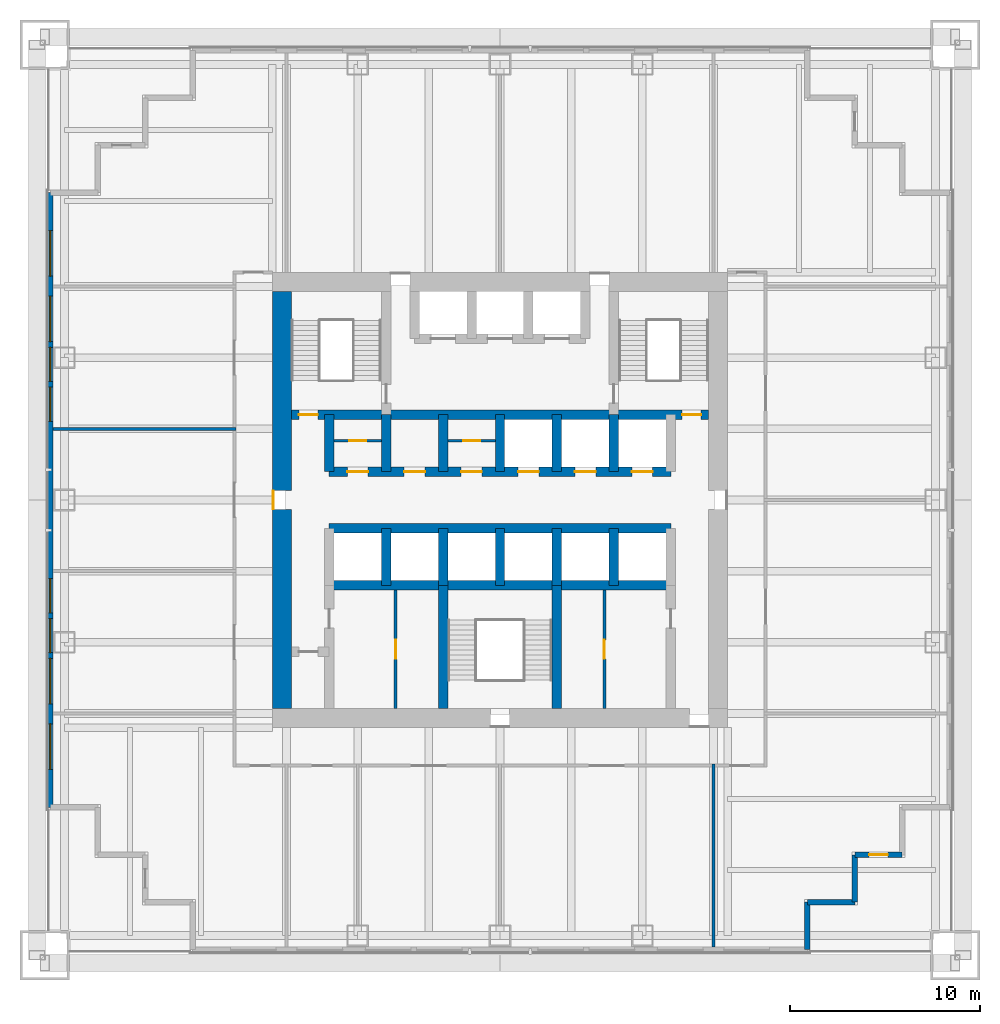
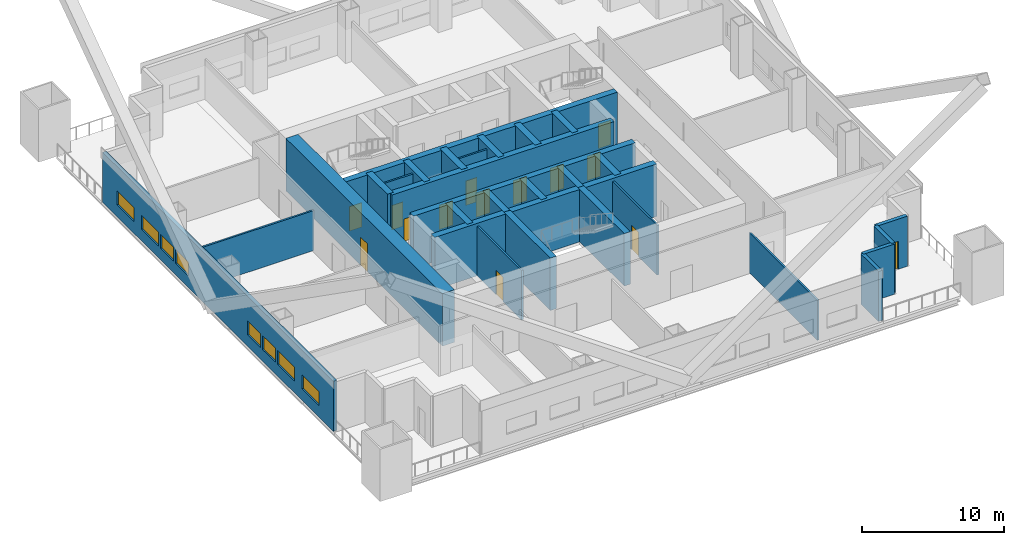
# One storey, part 3 of 7: 29 walls, 14 doors, 8 windows, 22 openings.
"""IFC4 building model written with IfcOpenShell, lengths in metres."""

from ifc_helpers import new_model, si_unit, direction, frame, frame_2d, origin, place, context, subcontext, project, spatial, rectangle, extrude, material, layer, layer_set, type_object, element, fill, save


model = new_model("IFC4")

# Units and contexts
model_context = context("Model", 3, precision=1e-05, world=origin(), true_north=direction((0.0, 1.0)))
body_context = subcontext(model_context, "Body", "Model", "MODEL_VIEW")
ifc_project = project(units=[si_unit("LENGTHUNIT", "METRE"), si_unit("AREAUNIT", "SQUARE_METRE"), si_unit("VOLUMEUNIT", "CUBIC_METRE"), si_unit("PLANEANGLEUNIT", "RADIAN"), si_unit("MASSUNIT", "GRAM", prefix="KILO")], contexts=[model_context])

# Site, building, storey
site_placement = place(None, origin())
site = spatial("IfcSite", under=ifc_project, at=site_placement, CompositionType="ELEMENT")
building_placement = place(site_placement, origin())
building = spatial("IfcBuilding", under=site, at=building_placement, Name="Tarangal Relay Tower", CompositionType="ELEMENT")
storey_placement = place(building_placement, frame((0.0, 0.0, 153.89990234375)))
storey = spatial("IfcBuildingStorey", under=building, at=storey_placement, Name="L31", CompositionType="ELEMENT", Elevation=153.89990234375)

# Wall, openings, doors
ifc_material_1 = material(Name="Concrete fc' 60 MPa", Category="concrete")
ifc_layer_1 = layer(ifc_material_1, 0.5)
ifc_layer_set_1 = layer_set([ifc_layer_1], Name="Core inner wall 500")
wall_type_1 = type_object("IfcWallType", Name="Core inner wall 500", PredefinedType="SHEAR", material=ifc_layer_set_1)
wall_1_placement = place(storey_placement, frame((-11.0, 4.5, 0.0), z_axis=(0.0, 0.0, 1.0), x_axis=(1.0, 0.0, 0.0)))
wall_1 = element("IfcWall", 1, at=wall_1_placement, inside=storey, type_object=wall_type_1, Name="Core wall Y45 L31", PredefinedType="SHEAR", context=body_context, shape_type="SweptSolid", body=[
    extrude(rectangle(XDim=22.0, YDim=0.5, at=frame_2d((11.0, 0.0))), origin(), (0.0, 0.0, 1.0), 4.5),
])
opening_1_placement = place(wall_1_placement, frame((0.39990234375, 0.0, 0.0)))
opening_1 = element("IfcOpeningElement", 2, at=opening_1_placement, cuts=wall_1, Name="Opening FD1", PredefinedType="OPENING", context=body_context, shape_type="SweptSolid", body=[
    extrude(rectangle(XDim=1.0, YDim=2.10009765625, at=frame_2d((0.5, 1.050048828125))), frame((0.0, 0.260009765625, 0.0), z_axis=(0.0, -1.0, 0.0), x_axis=(1.0, 0.0, 0.0)), (0.0, 0.0, 1.0), 0.52001953125),
])
opening_2_placement = place(wall_1_placement, frame((20.60009765625, 0.0, 0.0)))
opening_2 = element("IfcOpeningElement", 3, at=opening_2_placement, cuts=wall_1, Name="Opening FD1", PredefinedType="OPENING", context=body_context, shape_type="SweptSolid", body=[
    extrude(rectangle(XDim=1.0, YDim=2.10009765625, at=frame_2d((0.5, 1.050048828125))), frame((0.0, 0.260009765625, 0.0), z_axis=(0.0, -1.0, 0.0), x_axis=(1.0, 0.0, 0.0)), (0.0, 0.0, 1.0), 0.52001953125),
])
ifc_material_2 = material(Name="Steel door with hardwood frame", Category="steel")
door_type_1 = type_object("IfcDoorType", Name="Fire door 1000 x 2100", OperationType="SINGLE_SWING_LEFT", PredefinedType="DOOR", material=ifc_material_2)
door_1_placement = place(opening_1_placement, origin())
door_1 = element("IfcDoor", 4, at=door_1_placement, inside=storey, type_object=door_type_1, Name="Stair ST-A door from corridor L31", OperationType="SINGLE_SWING_LEFT", OverallHeight=2.10009765625, OverallWidth=1.0, PredefinedType="DOOR", context=body_context, shape_type="SweptSolid", body=[
    extrude(rectangle(XDim=1.0, YDim=2.10009765625, at=frame_2d((0.5, 1.050048828125))), frame((0.0, 0.02490234375, 0.0), z_axis=(0.0, -1.0, 0.0), x_axis=(1.0, 0.0, 0.0)), (0.0, 0.0, 1.0), 0.050048828125),
])
fill(opening_1, door_1)
door_2_placement = place(opening_2_placement, origin())
door_2 = element("IfcDoor", 5, at=door_2_placement, inside=storey, type_object=door_type_1, Name="Stair ST-B door from corridor L31", OperationType="SINGLE_SWING_LEFT", OverallHeight=2.10009765625, OverallWidth=1.0, PredefinedType="DOOR", context=body_context, shape_type="SweptSolid", body=[
    extrude(rectangle(XDim=1.0, YDim=2.10009765625, at=frame_2d((0.5, 1.050048828125))), frame((0.0, 0.02490234375, 0.0), z_axis=(0.0, -1.0, 0.0), x_axis=(1.0, 0.0, 0.0)), (0.0, 0.0, 1.0), 0.050048828125),
])
fill(opening_2, door_2)

wall_2_placement = place(storey_placement, frame((-9.0, 1.5, 0.0), z_axis=(0.0, 0.0, 1.0), x_axis=(1.0, 0.0, 0.0)))
wall_2 = element("IfcWall", 6, at=wall_2_placement, inside=storey, type_object=wall_type_1, Name="Core wall Y15 L31", PredefinedType="SHEAR", context=body_context, shape_type="SweptSolid", body=[
    extrude(rectangle(XDim=18.0, YDim=0.5, at=frame_2d((9.0, 0.0))), origin(), (0.0, 0.0, 1.0), 4.5),
])
opening_3_placement = place(wall_2_placement, frame((9.949951171875, 0.0, 0.0)))
opening_3 = element("IfcOpeningElement", 7, at=opening_3_placement, cuts=wall_2, Name="Opening LD1", PredefinedType="OPENING", context=body_context, shape_type="SweptSolid", body=[
    extrude(rectangle(XDim=1.10009765625, YDim=2.10009765625, at=frame_2d((0.550048828125, 1.050048828125))), frame((0.0, 0.260009765625, 0.0), z_axis=(0.0, -1.0, 0.0), x_axis=(1.0, 0.0, 0.0)), (0.0, 0.0, 1.0), 0.52001953125),
])
opening_4_placement = place(wall_2_placement, frame((12.949951171875, 0.0, 0.0)))
opening_4 = element("IfcOpeningElement", 8, at=opening_4_placement, cuts=wall_2, Name="Opening LD1", PredefinedType="OPENING", context=body_context, shape_type="SweptSolid", body=[
    extrude(rectangle(XDim=1.10009765625, YDim=2.10009765625, at=frame_2d((0.550048828125, 1.050048828125))), frame((0.0, 0.260009765625, 0.0), z_axis=(0.0, -1.0, 0.0), x_axis=(1.0, 0.0, 0.0)), (0.0, 0.0, 1.0), 0.52001953125),
])
opening_5_placement = place(wall_2_placement, frame((15.949951171875, 0.0, 0.0)))
opening_5 = element("IfcOpeningElement", 9, at=opening_5_placement, cuts=wall_2, Name="Opening LD1", PredefinedType="OPENING", context=body_context, shape_type="SweptSolid", body=[
    extrude(rectangle(XDim=1.10009765625, YDim=2.10009765625, at=frame_2d((0.550048828125, 1.050048828125))), frame((0.0, 0.260009765625, 0.0), z_axis=(0.0, -1.0, 0.0), x_axis=(1.0, 0.0, 0.0)), (0.0, 0.0, 1.0), 0.52001953125),
])
opening_6_placement = place(wall_2_placement, frame((0.949951171875, 0.0, 0.0)))
opening_6 = element("IfcOpeningElement", 10, at=opening_6_placement, cuts=wall_2, Name="Opening D4", PredefinedType="OPENING", context=body_context, shape_type="SweptSolid", body=[
    extrude(rectangle(XDim=1.10009765625, YDim=2.10009765625, at=frame_2d((0.550048828125, 1.050048828125))), frame((0.0, 0.260009765625, 0.0), z_axis=(0.0, -1.0, 0.0), x_axis=(1.0, 0.0, 0.0)), (0.0, 0.0, 1.0), 0.52001953125),
])
opening_7_placement = place(wall_2_placement, frame((3.949951171875, 0.0, 0.0)))
opening_7 = element("IfcOpeningElement", 11, at=opening_7_placement, cuts=wall_2, Name="Opening D4", PredefinedType="OPENING", context=body_context, shape_type="SweptSolid", body=[
    extrude(rectangle(XDim=1.10009765625, YDim=2.10009765625, at=frame_2d((0.550048828125, 1.050048828125))), frame((0.0, 0.260009765625, 0.0), z_axis=(0.0, -1.0, 0.0), x_axis=(1.0, 0.0, 0.0)), (0.0, 0.0, 1.0), 0.52001953125),
])
opening_8_placement = place(wall_2_placement, frame((6.949951171875, 0.0, 0.0)))
opening_8 = element("IfcOpeningElement", 12, at=opening_8_placement, cuts=wall_2, Name="Opening D4", PredefinedType="OPENING", context=body_context, shape_type="SweptSolid", body=[
    extrude(rectangle(XDim=1.10009765625, YDim=2.10009765625, at=frame_2d((0.550048828125, 1.050048828125))), frame((0.0, 0.260009765625, 0.0), z_axis=(0.0, -1.0, 0.0), x_axis=(1.0, 0.0, 0.0)), (0.0, 0.0, 1.0), 0.52001953125),
])
door_type_2 = type_object("IfcDoorType", Name="Core room door 1100 x 2100", OperationType="SINGLE_SWING_RIGHT", PredefinedType="DOOR", material=ifc_material_2)
door_3_placement = place(opening_6_placement, origin())
door_3 = element("IfcDoor", 13, at=door_3_placement, inside=storey, type_object=door_type_2, Name="Door D4 to it room L31-D1", OperationType="SINGLE_SWING_RIGHT", OverallHeight=2.10009765625, OverallWidth=1.10009765625, PredefinedType="DOOR", context=body_context, shape_type="SweptSolid", body=[
    extrude(rectangle(XDim=1.10009765625, YDim=2.10009765625, at=frame_2d((0.550048828125, 1.050048828125))), frame((0.0, 0.02490234375, 0.0), z_axis=(0.0, -1.0, 0.0), x_axis=(1.0, 0.0, 0.0)), (0.0, 0.0, 1.0), 0.050048828125),
])
fill(opening_6, door_3)
door_4_placement = place(opening_7_placement, origin())
door_4 = element("IfcDoor", 14, at=door_4_placement, inside=storey, type_object=door_type_2, Name="Door D4 to back-of-house plant room L31-D2", OperationType="SINGLE_SWING_RIGHT", OverallHeight=2.10009765625, OverallWidth=1.10009765625, PredefinedType="DOOR", context=body_context, shape_type="SweptSolid", body=[
    extrude(rectangle(XDim=1.10009765625, YDim=2.10009765625, at=frame_2d((0.550048828125, 1.050048828125))), frame((0.0, 0.02490234375, 0.0), z_axis=(0.0, -1.0, 0.0), x_axis=(1.0, 0.0, 0.0)), (0.0, 0.0, 1.0), 0.050048828125),
])
fill(opening_7, door_4)
door_5_placement = place(opening_8_placement, origin())
door_5 = element("IfcDoor", 15, at=door_5_placement, inside=storey, type_object=door_type_2, Name="Door D4 to staff pantry L31-D3", OperationType="SINGLE_SWING_RIGHT", OverallHeight=2.10009765625, OverallWidth=1.10009765625, PredefinedType="DOOR", context=body_context, shape_type="SweptSolid", body=[
    extrude(rectangle(XDim=1.10009765625, YDim=2.10009765625, at=frame_2d((0.550048828125, 1.050048828125))), frame((0.0, 0.02490234375, 0.0), z_axis=(0.0, -1.0, 0.0), x_axis=(1.0, 0.0, 0.0)), (0.0, 0.0, 1.0), 0.050048828125),
])
fill(opening_8, door_5)
door_type_3 = type_object("IfcDoorType", Name="Lift landing door 1100 x 2100", OperationType="SLIDING_TO_LEFT", PredefinedType="DOOR", material=ifc_material_2)
door_6_placement = place(opening_3_placement, origin())
door_6 = element("IfcDoor", 16, at=door_6_placement, inside=storey, type_object=door_type_3, Name="Lift T1 landing door L31", OperationType="SLIDING_TO_LEFT", OverallHeight=2.10009765625, OverallWidth=1.10009765625, PredefinedType="DOOR", context=body_context, shape_type="SweptSolid", body=[
    extrude(rectangle(XDim=1.10009765625, YDim=2.10009765625, at=frame_2d((0.550048828125, 1.050048828125))), frame((0.0, 0.02490234375, 0.0), z_axis=(0.0, -1.0, 0.0), x_axis=(1.0, 0.0, 0.0)), (0.0, 0.0, 1.0), 0.050048828125),
])
fill(opening_3, door_6)
door_7_placement = place(opening_4_placement, origin())
door_7 = element("IfcDoor", 17, at=door_7_placement, inside=storey, type_object=door_type_3, Name="Lift T2 landing door L31", OperationType="SLIDING_TO_LEFT", OverallHeight=2.10009765625, OverallWidth=1.10009765625, PredefinedType="DOOR", context=body_context, shape_type="SweptSolid", body=[
    extrude(rectangle(XDim=1.10009765625, YDim=2.10009765625, at=frame_2d((0.550048828125, 1.050048828125))), frame((0.0, 0.02490234375, 0.0), z_axis=(0.0, -1.0, 0.0), x_axis=(1.0, 0.0, 0.0)), (0.0, 0.0, 1.0), 0.050048828125),
])
fill(opening_4, door_7)
door_8_placement = place(opening_5_placement, origin())
door_8 = element("IfcDoor", 18, at=door_8_placement, inside=storey, type_object=door_type_3, Name="Lift T3 landing door L31", OperationType="SLIDING_TO_LEFT", OverallHeight=2.10009765625, OverallWidth=1.10009765625, PredefinedType="DOOR", context=body_context, shape_type="SweptSolid", body=[
    extrude(rectangle(XDim=1.10009765625, YDim=2.10009765625, at=frame_2d((0.550048828125, 1.050048828125))), frame((0.0, 0.02490234375, 0.0), z_axis=(0.0, -1.0, 0.0), x_axis=(1.0, 0.0, 0.0)), (0.0, 0.0, 1.0), 0.050048828125),
])
fill(opening_5, door_8)

# Walls
for number, where, z_axis, x_axis, name in (
    (19, (-9.0, -1.5, 0.0), (0.0, 0.0, 1.0), (1.0, 0.0, 0.0), "Core wall YM15 L31"),
    (20, (-9.0, -4.5, 0.0), (0.0, 0.0, 1.0), (1.0, 0.0, 0.0), "Core wall YM45 L31"),
):
    element("IfcWall", number, at=place(storey_placement, frame(where, z_axis=z_axis, x_axis=x_axis)), inside=storey, type_object=wall_type_1, Name=name, PredefinedType="SHEAR", context=body_context, shape_type="SweptSolid", body=[
        extrude(rectangle(XDim=18.0, YDim=0.5, at=frame_2d((9.0, 0.0))), origin(), (0.0, 0.0, 1.0), 4.5),
    ])
for number, where, z_axis, x_axis, name in (
    (21, (-9.0, 1.5, 0.0), (0.0, 0.0, 1.0), (0.0, 1.0, 0.0), "Core wall XM9N L31"),
    (22, (-6.0, 1.5, 0.0), (0.0, 0.0, 1.0), (0.0, 1.0, 0.0), "Core wall XM6N L31"),
    (23, (-3.0, 1.5, 0.0), (0.0, 0.0, 1.0), (0.0, 1.0, 0.0), "Core wall XM3N L31"),
    (24, (0.0, 1.5, 0.0), (0.0, 0.0, 1.0), (0.0, 1.0, 0.0), "Core wall X0N L31"),
    (25, (3.0, 1.5, 0.0), (0.0, 0.0, 1.0), (0.0, 1.0, 0.0), "Core wall X3N L31"),
    (26, (6.0, 1.5, 0.0), (0.0, 0.0, 1.0), (0.0, 1.0, 0.0), "Core wall X6N L31"),
    (27, (-6.0, -4.5, 0.0), (0.0, 0.0, 1.0), (0.0, 1.0, 0.0), "Core wall XM6S L31"),
    (28, (-3.0, -4.5, 0.0), (0.0, 0.0, 1.0), (0.0, 1.0, 0.0), "Core wall XM3S L31"),
    (29, (0.0, -4.5, 0.0), (0.0, 0.0, 1.0), (0.0, 1.0, 0.0), "Core wall X0S L31"),
    (30, (3.0, -4.5, 0.0), (0.0, 0.0, 1.0), (0.0, 1.0, 0.0), "Core wall X3S L31"),
    (31, (6.0, -4.5, 0.0), (0.0, 0.0, 1.0), (0.0, 1.0, 0.0), "Core wall X6S L31"),
):
    element("IfcWall", number, at=place(storey_placement, frame(where, z_axis=z_axis, x_axis=x_axis)), inside=storey, type_object=wall_type_1, Name=name, PredefinedType="SHEAR", context=body_context, shape_type="SweptSolid", body=[
        extrude(rectangle(XDim=3.0, YDim=0.5, at=frame_2d((1.5, 0.0))), origin(), (0.0, 0.0, 1.0), 4.5),
    ])
for number, where, z_axis, x_axis, name in (
    (32, (-3.0, -11.0, 0.0), (0.0, 0.0, 1.0), (0.0, 1.0, 0.0), "Core wall XM3W L31"),
    (33, (3.0, -11.0, 0.0), (0.0, 0.0, 1.0), (0.0, 1.0, 0.0), "Core wall X3W L31"),
):
    element("IfcWall", number, at=place(storey_placement, frame(where, z_axis=z_axis, x_axis=x_axis)), inside=storey, type_object=wall_type_1, Name=name, PredefinedType="SHEAR", context=body_context, shape_type="SweptSolid", body=[
        extrude(rectangle(XDim=6.5, YDim=0.5, at=frame_2d((3.25, 0.0))), origin(), (0.0, 0.0, 1.0), 4.5),
    ])

# Wall, opening, door
ifc_layer_2 = layer(ifc_material_1, 1.0)
ifc_layer_set_2 = layer_set([ifc_layer_2], Name="Core wall 1000")
wall_type_2 = type_object("IfcWallType", Name="Core wall 1000", PredefinedType="SHEAR", material=ifc_layer_set_2)
wall_3_placement = place(storey_placement, frame((-11.5, -11.0, 0.0), z_axis=(0.0, 0.0, 1.0), x_axis=(0.0, 1.0, 0.0)))
wall_3 = element("IfcWall", 34, at=wall_3_placement, inside=storey, type_object=wall_type_2, Name="Core wall W L31", PredefinedType="SHEAR", context=body_context, shape_type="SweptSolid", body=[
    extrude(rectangle(XDim=22.0, YDim=1.0, at=frame_2d((11.0, 0.0))), origin(), (0.0, 0.0, 1.0), 4.5),
])
opening_9_placement = place(wall_3_placement, frame((10.5, 0.0, 0.0)))
opening_9 = element("IfcOpeningElement", 35, at=opening_9_placement, cuts=wall_3, Name="Opening FD3", PredefinedType="OPENING", context=body_context, shape_type="SweptSolid", body=[
    extrude(rectangle(XDim=1.0, YDim=2.39990234375, at=frame_2d((0.5, 1.199951171875))), frame((0.0, 0.510009765625, 0.0), z_axis=(0.0, -1.0, 0.0), x_axis=(1.0, 0.0, 0.0)), (0.0, 0.0, 1.0), 1.02001953125),
])
door_type_4 = type_object("IfcDoorType", Name="Fire door 1000 x 2400 core entry", OperationType="SINGLE_SWING_RIGHT", PredefinedType="DOOR", material=ifc_material_2)
door_9_placement = place(opening_9_placement, origin())
door_9 = element("IfcDoor", 36, at=door_9_placement, inside=storey, type_object=door_type_4, Name="Core entry door west L31", OperationType="SINGLE_SWING_RIGHT", OverallHeight=2.39990234375, OverallWidth=1.0, PredefinedType="DOOR", context=body_context, shape_type="SweptSolid", body=[
    extrude(rectangle(XDim=1.0, YDim=2.39990234375, at=frame_2d((0.5, 1.199951171875))), frame((0.0, 0.48486328125, 0.0), z_axis=(0.0, -1.0, 0.0), x_axis=(1.0, 0.0, 0.0)), (0.0, 0.0, 1.0), 0.050048828125),
])
fill(opening_9, door_9)

ifc_material_3 = material(Name="Insulated precast concrete fc' 40 MPa", Category="concrete")
ifc_layer_3 = layer(ifc_material_3, 0.300048828125)
ifc_layer_set_3 = layer_set([ifc_layer_3], Name="Insulated precast concrete fc' 40 MPa")
wall_type_3 = type_object("IfcWallType", Name="Facade wall precast 300", PredefinedType="SOLIDWALL", material=ifc_layer_set_3)
wall_4_placement = place(storey_placement, frame((21.199951171875, -18.699951171875, 0.0), z_axis=(0.0, 0.0, 1.0), x_axis=(-1.0, 0.0, 0.0)))
wall_4 = element("IfcWall", 37, at=wall_4_placement, inside=storey, type_object=wall_type_3, Name="Facade wall E facade L31", PredefinedType="SOLIDWALL", context=body_context, shape_type="SweptSolid", body=[
    extrude(rectangle(XDim=2.5, YDim=0.300048828125, at=frame_2d((1.25, 0.0))), origin(), (0.0, 0.0, 1.0), 4.300048828125),
])
opening_10_placement = place(wall_4_placement, frame((0.75, 0.0, 0.0)))
opening_10 = element("IfcOpeningElement", 38, at=opening_10_placement, cuts=wall_4, Name="Opening TD1", PredefinedType="OPENING", context=body_context, shape_type="SweptSolid", body=[
    extrude(rectangle(XDim=1.0, YDim=2.39990234375, at=frame_2d((0.5, 1.199951171875))), frame((0.0, 0.159912109375, 0.0), z_axis=(0.0, -1.0, 0.0), x_axis=(1.0, 0.0, 0.0)), (0.0, 0.0, 1.0), 0.320068359375),
])
ifc_material_4 = material(Name="Aluminium glazed door", Category="aluminium")
door_type_5 = type_object("IfcDoorType", Name="Terrace door 1000 x 2400", OperationType="SINGLE_SWING_RIGHT", PredefinedType="DOOR", material=ifc_material_4)
door_10_placement = place(opening_10_placement, origin())
door_10 = element("IfcDoor", 39, at=door_10_placement, inside=storey, type_object=door_type_5, Name="Terrace door TD1 SE L31", OperationType="SINGLE_SWING_RIGHT", OverallHeight=2.39990234375, OverallWidth=1.0, PredefinedType="DOOR", context=body_context, shape_type="SweptSolid", body=[
    extrude(rectangle(XDim=1.0, YDim=2.39990234375, at=frame_2d((0.5, 1.199951171875))), frame((0.0, 0.02490234375, 0.0), z_axis=(0.0, -1.0, 0.0), x_axis=(1.0, 0.0, 0.0)), (0.0, 0.0, 1.0), 0.050048828125),
])
fill(opening_10, door_10)

# Walls
for number, where, z_axis, x_axis, name in (
    (40, (18.699951171875, -18.699951171875, 0.0), (0.0, 0.0, 1.0), (0.0, -1.0, 0.0), "Facade wall E facade L31"),
    (41, (18.699951171875, -21.199951171875, 0.0), (0.0, 0.0, 1.0), (-1.0, 0.0, 0.0), "Facade wall E facade L31"),
    (42, (16.199951171875, -21.199951171875, 0.0), (0.0, 0.0, 1.0), (0.0, -1.0, 0.0), "Facade wall E facade L31"),
):
    element("IfcWall", number, at=place(storey_placement, frame(where, z_axis=z_axis, x_axis=x_axis)), inside=storey, type_object=wall_type_3, Name=name, PredefinedType="SOLIDWALL", context=body_context, shape_type="SweptSolid", body=[
        extrude(rectangle(XDim=2.5, YDim=0.300048828125, at=frame_2d((1.25, 0.0))), origin(), (0.0, 0.0, 1.0), 4.300048828125),
    ])

# Wall, openings, windows
wall_5_placement = place(storey_placement, frame((-23.699951171875, -16.199951171875, 0.0), z_axis=(0.0, 0.0, 1.0), x_axis=(0.0, 1.0, 0.0)))
wall_5 = element("IfcWall", 43, at=wall_5_placement, inside=storey, type_object=wall_type_3, Name="Facade wall W facade L31", PredefinedType="SOLIDWALL", context=body_context, shape_type="SweptSolid", body=[
    extrude(rectangle(XDim=32.39990234375, YDim=0.300048828125, at=frame_2d((16.199951171875, 0.0))), origin(), (0.0, 0.0, 1.0), 4.300048828125),
])
opening_11_placement = place(wall_5_placement, frame((2.0, 0.0, 1.0)))
opening_11 = element("IfcOpeningElement", 44, at=opening_11_placement, cuts=wall_5, Name="Opening WN1", PredefinedType="OPENING", context=body_context, shape_type="SweptSolid", body=[
    extrude(rectangle(XDim=2.39990234375, YDim=1.199951171875, at=frame_2d((1.199951171875, 0.60009765625))), frame((0.0, 0.159912109375, 0.0), z_axis=(0.0, -1.0, 0.0), x_axis=(1.0, 0.0, 0.0)), (0.0, 0.0, 1.0), 0.320068359375),
])
opening_12_placement = place(wall_5_placement, frame((5.449951171875, 0.0, 1.0)))
opening_12 = element("IfcOpeningElement", 45, at=opening_12_placement, cuts=wall_5, Name="Opening WN1", PredefinedType="OPENING", context=body_context, shape_type="SweptSolid", body=[
    extrude(rectangle(XDim=2.39990234375, YDim=1.199951171875, at=frame_2d((1.199951171875, 0.60009765625))), frame((0.0, 0.159912109375, 0.0), z_axis=(0.0, -1.0, 0.0), x_axis=(1.0, 0.0, 0.0)), (0.0, 0.0, 1.0), 0.320068359375),
])
opening_13_placement = place(wall_5_placement, frame((8.14990234375, 0.0, 1.0)))
opening_13 = element("IfcOpeningElement", 46, at=opening_13_placement, cuts=wall_5, Name="Opening WN5", PredefinedType="OPENING", context=body_context, shape_type="SweptSolid", body=[
    extrude(rectangle(XDim=1.800048828125, YDim=1.199951171875, at=frame_2d((0.89990234375, 0.60009765625))), frame((0.0, 0.159912109375, 0.0), z_axis=(0.0, -1.0, 0.0), x_axis=(1.0, 0.0, 0.0)), (0.0, 0.0, 1.0), 0.320068359375),
])
opening_14_placement = place(wall_5_placement, frame((10.25, 0.0, 1.0)))
opening_14 = element("IfcOpeningElement", 47, at=opening_14_placement, cuts=wall_5, Name="Opening WN5", PredefinedType="OPENING", context=body_context, shape_type="SweptSolid", body=[
    extrude(rectangle(XDim=1.800048828125, YDim=1.199951171875, at=frame_2d((0.89990234375, 0.60009765625))), frame((0.0, 0.159912109375, 0.0), z_axis=(0.0, -1.0, 0.0), x_axis=(1.0, 0.0, 0.0)), (0.0, 0.0, 1.0), 0.320068359375),
])
opening_15_placement = place(wall_5_placement, frame((20.35009765625, 0.0, 1.0)))
opening_15 = element("IfcOpeningElement", 48, at=opening_15_placement, cuts=wall_5, Name="Opening WN5", PredefinedType="OPENING", context=body_context, shape_type="SweptSolid", body=[
    extrude(rectangle(XDim=1.800048828125, YDim=1.199951171875, at=frame_2d((0.89990234375, 0.60009765625))), frame((0.0, 0.159912109375, 0.0), z_axis=(0.0, -1.0, 0.0), x_axis=(1.0, 0.0, 0.0)), (0.0, 0.0, 1.0), 0.320068359375),
])
opening_16_placement = place(wall_5_placement, frame((22.449951171875, 0.0, 1.0)))
opening_16 = element("IfcOpeningElement", 49, at=opening_16_placement, cuts=wall_5, Name="Opening WN5", PredefinedType="OPENING", context=body_context, shape_type="SweptSolid", body=[
    extrude(rectangle(XDim=1.800048828125, YDim=1.199951171875, at=frame_2d((0.89990234375, 0.60009765625))), frame((0.0, 0.159912109375, 0.0), z_axis=(0.0, -1.0, 0.0), x_axis=(1.0, 0.0, 0.0)), (0.0, 0.0, 1.0), 0.320068359375),
])
opening_17_placement = place(wall_5_placement, frame((24.550048828125, 0.0, 1.0)))
opening_17 = element("IfcOpeningElement", 50, at=opening_17_placement, cuts=wall_5, Name="Opening WN1", PredefinedType="OPENING", context=body_context, shape_type="SweptSolid", body=[
    extrude(rectangle(XDim=2.39990234375, YDim=1.199951171875, at=frame_2d((1.199951171875, 0.60009765625))), frame((0.0, 0.159912109375, 0.0), z_axis=(0.0, -1.0, 0.0), x_axis=(1.0, 0.0, 0.0)), (0.0, 0.0, 1.0), 0.320068359375),
])
opening_18_placement = place(wall_5_placement, frame((28.0, 0.0, 1.0)))
opening_18 = element("IfcOpeningElement", 51, at=opening_18_placement, cuts=wall_5, Name="Opening WN1", PredefinedType="OPENING", context=body_context, shape_type="SweptSolid", body=[
    extrude(rectangle(XDim=2.39990234375, YDim=1.199951171875, at=frame_2d((1.199951171875, 0.60009765625))), frame((0.0, 0.159912109375, 0.0), z_axis=(0.0, -1.0, 0.0), x_axis=(1.0, 0.0, 0.0)), (0.0, 0.0, 1.0), 0.320068359375),
])
ifc_material_5 = material(Name="Dark tinted double glazing in black aluminium frame", Category="aluminium")
window_type_1 = type_object("IfcWindowType", Name="Ribbon window 1800 x 1200", PartitioningType="SINGLE_PANEL", PredefinedType="WINDOW", material=ifc_material_5)
window_1_placement = place(opening_13_placement, origin())
window_1 = element("IfcWindow", 52, at=window_1_placement, inside=storey, type_object=window_type_1, Name="Ribbon window WN5 W facade L31", OverallHeight=1.199951171875, OverallWidth=1.800048828125, PartitioningType="SINGLE_PANEL", PredefinedType="WINDOW", context=body_context, shape_type="SweptSolid", body=[
    extrude(rectangle(XDim=1.800048828125, YDim=1.199951171875, at=frame_2d((0.89990234375, 0.60009765625))), frame((0.0, 0.030029296875, 0.0), z_axis=(0.0, -1.0, 0.0), x_axis=(1.0, 0.0, 0.0)), (0.0, 0.0, 1.0), 0.06005859375),
])
fill(opening_13, window_1)
window_2_placement = place(opening_14_placement, origin())
window_2 = element("IfcWindow", 53, at=window_2_placement, inside=storey, type_object=window_type_1, Name="Ribbon window WN5 W facade L31", OverallHeight=1.199951171875, OverallWidth=1.800048828125, PartitioningType="SINGLE_PANEL", PredefinedType="WINDOW", context=body_context, shape_type="SweptSolid", body=[
    extrude(rectangle(XDim=1.800048828125, YDim=1.199951171875, at=frame_2d((0.89990234375, 0.60009765625))), frame((0.0, 0.030029296875, 0.0), z_axis=(0.0, -1.0, 0.0), x_axis=(1.0, 0.0, 0.0)), (0.0, 0.0, 1.0), 0.06005859375),
])
fill(opening_14, window_2)
window_3_placement = place(opening_15_placement, origin())
window_3 = element("IfcWindow", 54, at=window_3_placement, inside=storey, type_object=window_type_1, Name="Ribbon window WN5 W facade L31", OverallHeight=1.199951171875, OverallWidth=1.800048828125, PartitioningType="SINGLE_PANEL", PredefinedType="WINDOW", context=body_context, shape_type="SweptSolid", body=[
    extrude(rectangle(XDim=1.800048828125, YDim=1.199951171875, at=frame_2d((0.89990234375, 0.60009765625))), frame((0.0, 0.030029296875, 0.0), z_axis=(0.0, -1.0, 0.0), x_axis=(1.0, 0.0, 0.0)), (0.0, 0.0, 1.0), 0.06005859375),
])
fill(opening_15, window_3)
window_4_placement = place(opening_16_placement, origin())
window_4 = element("IfcWindow", 55, at=window_4_placement, inside=storey, type_object=window_type_1, Name="Ribbon window WN5 W facade L31", OverallHeight=1.199951171875, OverallWidth=1.800048828125, PartitioningType="SINGLE_PANEL", PredefinedType="WINDOW", context=body_context, shape_type="SweptSolid", body=[
    extrude(rectangle(XDim=1.800048828125, YDim=1.199951171875, at=frame_2d((0.89990234375, 0.60009765625))), frame((0.0, 0.030029296875, 0.0), z_axis=(0.0, -1.0, 0.0), x_axis=(1.0, 0.0, 0.0)), (0.0, 0.0, 1.0), 0.06005859375),
])
fill(opening_16, window_4)
window_type_2 = type_object("IfcWindowType", Name="Ribbon window 2400 x 1200", PartitioningType="SINGLE_PANEL", PredefinedType="WINDOW", material=ifc_material_5)
window_5_placement = place(opening_11_placement, origin())
window_5 = element("IfcWindow", 56, at=window_5_placement, inside=storey, type_object=window_type_2, Name="Ribbon window WN1 W facade L31", OverallHeight=1.199951171875, OverallWidth=2.39990234375, PartitioningType="SINGLE_PANEL", PredefinedType="WINDOW", context=body_context, shape_type="SweptSolid", body=[
    extrude(rectangle(XDim=2.39990234375, YDim=1.199951171875, at=frame_2d((1.199951171875, 0.60009765625))), frame((0.0, 0.030029296875, 0.0), z_axis=(0.0, -1.0, 0.0), x_axis=(1.0, 0.0, 0.0)), (0.0, 0.0, 1.0), 0.06005859375),
])
fill(opening_11, window_5)
window_6_placement = place(opening_12_placement, origin())
window_6 = element("IfcWindow", 57, at=window_6_placement, inside=storey, type_object=window_type_2, Name="Ribbon window WN1 W facade L31", OverallHeight=1.199951171875, OverallWidth=2.39990234375, PartitioningType="SINGLE_PANEL", PredefinedType="WINDOW", context=body_context, shape_type="SweptSolid", body=[
    extrude(rectangle(XDim=2.39990234375, YDim=1.199951171875, at=frame_2d((1.199951171875, 0.60009765625))), frame((0.0, 0.030029296875, 0.0), z_axis=(0.0, -1.0, 0.0), x_axis=(1.0, 0.0, 0.0)), (0.0, 0.0, 1.0), 0.06005859375),
])
fill(opening_12, window_6)
window_7_placement = place(opening_17_placement, origin())
window_7 = element("IfcWindow", 58, at=window_7_placement, inside=storey, type_object=window_type_2, Name="Ribbon window WN1 W facade L31", OverallHeight=1.199951171875, OverallWidth=2.39990234375, PartitioningType="SINGLE_PANEL", PredefinedType="WINDOW", context=body_context, shape_type="SweptSolid", body=[
    extrude(rectangle(XDim=2.39990234375, YDim=1.199951171875, at=frame_2d((1.199951171875, 0.60009765625))), frame((0.0, 0.030029296875, 0.0), z_axis=(0.0, -1.0, 0.0), x_axis=(1.0, 0.0, 0.0)), (0.0, 0.0, 1.0), 0.06005859375),
])
fill(opening_17, window_7)
window_8_placement = place(opening_18_placement, origin())
window_8 = element("IfcWindow", 59, at=window_8_placement, inside=storey, type_object=window_type_2, Name="Ribbon window WN1 W facade L31", OverallHeight=1.199951171875, OverallWidth=2.39990234375, PartitioningType="SINGLE_PANEL", PredefinedType="WINDOW", context=body_context, shape_type="SweptSolid", body=[
    extrude(rectangle(XDim=2.39990234375, YDim=1.199951171875, at=frame_2d((1.199951171875, 0.60009765625))), frame((0.0, 0.030029296875, 0.0), z_axis=(0.0, -1.0, 0.0), x_axis=(1.0, 0.0, 0.0)), (0.0, 0.0, 1.0), 0.06005859375),
])
fill(opening_18, window_8)

# Walls
ifc_material_6 = material(Name="Gypsum board on steel studs", Category="steel")
ifc_layer_4 = layer(ifc_material_6, 0.14990234375)
ifc_layer_set_4 = layer_set([ifc_layer_4], Name="Partition 150")
wall_type_4 = type_object("IfcWallType", Name="Partition 150", PredefinedType="PARTITIONING", material=ifc_layer_set_4)
for number, where, z_axis, x_axis, name in (
    (60, (-23.550048828125, 3.75, 0.0), (0.0, 0.0, 1.0), (1.0, 0.0, 0.0), "Partition PT1 L31"),
    (61, (11.25, -23.550048828125, 0.0), (0.0, 0.0, 1.0), (0.0, 1.0, 0.0), "Partition PT1 L31"),
):
    element("IfcWall", number, at=place(storey_placement, frame(where, z_axis=z_axis, x_axis=x_axis)), inside=storey, type_object=wall_type_4, Name=name, PredefinedType="PARTITIONING", context=body_context, shape_type="SweptSolid", body=[
        extrude(rectangle(XDim=9.625, YDim=0.14990234375, at=frame_2d((4.8125, 0.0))), origin(), (0.0, 0.0, 1.0), 3.431396484375),
    ])

# Wall, opening, door
wall_6_placement = place(storey_placement, frame((-5.5, -11.0, 0.0), z_axis=(0.0, 0.0, 1.0), x_axis=(0.0, 1.0, 0.0)))
wall_6 = element("IfcWall", 62, at=wall_6_placement, inside=storey, type_object=wall_type_4, Name="Partition PT1 L31", PredefinedType="PARTITIONING", context=body_context, shape_type="SweptSolid", body=[
    extrude(rectangle(XDim=6.25, YDim=0.14990234375, at=frame_2d((3.125, 0.0))), origin(), (0.0, 0.0, 1.0), 4.25),
])
opening_19_placement = place(wall_6_placement, frame((2.625, 0.0, 0.0)))
opening_19 = element("IfcOpeningElement", 63, at=opening_19_placement, cuts=wall_6, Name="Opening D1", PredefinedType="OPENING", context=body_context, shape_type="SweptSolid", body=[
    extrude(rectangle(XDim=1.0, YDim=2.10009765625, at=frame_2d((0.5, 1.050048828125))), frame((0.0, 0.0849609375, 0.0), z_axis=(0.0, -1.0, 0.0), x_axis=(1.0, 0.0, 0.0)), (0.0, 0.0, 1.0), 0.169921875),
])
ifc_material_7 = material(Name="Hardwood door", Category="wood")
door_type_6 = type_object("IfcDoorType", Name="WC door 1000 x 2100", OperationType="SINGLE_SWING_LEFT", PredefinedType="DOOR", material=ifc_material_7)
door_11_placement = place(opening_19_placement, origin())
door_11 = element("IfcDoor", 64, at=door_11_placement, inside=storey, type_object=door_type_6, Name="Door D1 to male shower and changing room L31-C7B", OperationType="SINGLE_SWING_LEFT", OverallHeight=2.10009765625, OverallWidth=1.0, PredefinedType="DOOR", context=body_context, shape_type="SweptSolid", body=[
    extrude(rectangle(XDim=1.0, YDim=2.10009765625, at=frame_2d((0.5, 1.050048828125))), frame((0.0, 0.02490234375, 0.0), z_axis=(0.0, -1.0, 0.0), x_axis=(1.0, 0.0, 0.0)), (0.0, 0.0, 1.0), 0.050048828125),
])
fill(opening_19, door_11)

wall_7_placement = place(storey_placement, frame((5.5, -11.0, 0.0), z_axis=(0.0, 0.0, 1.0), x_axis=(0.0, 1.0, 0.0)))
wall_7 = element("IfcWall", 65, at=wall_7_placement, inside=storey, type_object=wall_type_4, Name="Partition PT1 L31", PredefinedType="PARTITIONING", context=body_context, shape_type="SweptSolid", body=[
    extrude(rectangle(XDim=6.25, YDim=0.14990234375, at=frame_2d((3.125, 0.0))), origin(), (0.0, 0.0, 1.0), 4.25),
])
opening_20_placement = place(wall_7_placement, frame((2.625, 0.0, 0.0)))
opening_20 = element("IfcOpeningElement", 66, at=opening_20_placement, cuts=wall_7, Name="Opening D1", PredefinedType="OPENING", context=body_context, shape_type="SweptSolid", body=[
    extrude(rectangle(XDim=1.0, YDim=2.10009765625, at=frame_2d((0.5, 1.050048828125))), frame((0.0, 0.0849609375, 0.0), z_axis=(0.0, -1.0, 0.0), x_axis=(1.0, 0.0, 0.0)), (0.0, 0.0, 1.0), 0.169921875),
])
door_12_placement = place(opening_20_placement, origin())
door_12 = element("IfcDoor", 67, at=door_12_placement, inside=storey, type_object=door_type_6, Name="Door D1 to female shower and changing room L31-C10B", OperationType="SINGLE_SWING_LEFT", OverallHeight=2.10009765625, OverallWidth=1.0, PredefinedType="DOOR", context=body_context, shape_type="SweptSolid", body=[
    extrude(rectangle(XDim=1.0, YDim=2.10009765625, at=frame_2d((0.5, 1.050048828125))), frame((0.0, 0.02490234375, 0.0), z_axis=(0.0, -1.0, 0.0), x_axis=(1.0, 0.0, 0.0)), (0.0, 0.0, 1.0), 0.050048828125),
])
fill(opening_20, door_12)

wall_8_placement = place(storey_placement, frame((-8.75, 3.125, 0.0), z_axis=(0.0, 0.0, 1.0), x_axis=(1.0, 0.0, 0.0)))
wall_8 = element("IfcWall", 68, at=wall_8_placement, inside=storey, type_object=wall_type_4, Name="Partition PT1 L31", PredefinedType="PARTITIONING", context=body_context, shape_type="SweptSolid", body=[
    extrude(rectangle(XDim=2.5, YDim=0.14990234375, at=frame_2d((1.25, 0.0))), origin(), (0.0, 0.0, 1.0), 4.25),
])
opening_21_placement = place(wall_8_placement, frame((0.800048828125, 0.0, 0.0)))
opening_21 = element("IfcOpeningElement", 69, at=opening_21_placement, cuts=wall_8, Name="Opening D5", PredefinedType="OPENING", context=body_context, shape_type="SweptSolid", body=[
    extrude(rectangle(XDim=0.89990234375, YDim=2.10009765625, at=frame_2d((0.449951171875, 1.050048828125))), frame((0.0, 0.0849609375, 0.0), z_axis=(0.0, -1.0, 0.0), x_axis=(1.0, 0.0, 0.0)), (0.0, 0.0, 1.0), 0.169921875),
])
door_type_7 = type_object("IfcDoorType", Name="Cupboard door 900 x 2100", OperationType="SINGLE_SWING_LEFT", PredefinedType="DOOR", material=ifc_material_7)
door_13_placement = place(opening_21_placement, origin())
door_13 = element("IfcDoor", 70, at=door_13_placement, inside=storey, type_object=door_type_7, Name="Door D5 to it patch cupboard L31-D1B", OperationType="SINGLE_SWING_LEFT", OverallHeight=2.10009765625, OverallWidth=0.89990234375, PredefinedType="DOOR", context=body_context, shape_type="SweptSolid", body=[
    extrude(rectangle(XDim=0.89990234375, YDim=2.10009765625, at=frame_2d((0.449951171875, 1.050048828125))), frame((0.0, 0.02490234375, 0.0), z_axis=(0.0, -1.0, 0.0), x_axis=(1.0, 0.0, 0.0)), (0.0, 0.0, 1.0), 0.050048828125),
])
fill(opening_21, door_13)

wall_9_placement = place(storey_placement, frame((-2.75, 3.125, 0.0), z_axis=(0.0, 0.0, 1.0), x_axis=(1.0, 0.0, 0.0)))
wall_9 = element("IfcWall", 71, at=wall_9_placement, inside=storey, type_object=wall_type_4, Name="Partition PT1 L31", PredefinedType="PARTITIONING", context=body_context, shape_type="SweptSolid", body=[
    extrude(rectangle(XDim=2.5, YDim=0.14990234375, at=frame_2d((1.25, 0.0))), origin(), (0.0, 0.0, 1.0), 4.25),
])
opening_22_placement = place(wall_9_placement, frame((0.800048828125, 0.0, 0.0)))
opening_22 = element("IfcOpeningElement", 72, at=opening_22_placement, cuts=wall_9, Name="Opening D5", PredefinedType="OPENING", context=body_context, shape_type="SweptSolid", body=[
    extrude(rectangle(XDim=0.89990234375, YDim=2.10009765625, at=frame_2d((0.449951171875, 1.050048828125))), frame((0.0, 0.0849609375, 0.0), z_axis=(0.0, -1.0, 0.0), x_axis=(1.0, 0.0, 0.0)), (0.0, 0.0, 1.0), 0.169921875),
])
door_14_placement = place(opening_22_placement, origin())
door_14 = element("IfcDoor", 73, at=door_14_placement, inside=storey, type_object=door_type_7, Name="Door D5 to pantry cupboard L31-D3B", OperationType="SINGLE_SWING_LEFT", OverallHeight=2.10009765625, OverallWidth=0.89990234375, PredefinedType="DOOR", context=body_context, shape_type="SweptSolid", body=[
    extrude(rectangle(XDim=0.89990234375, YDim=2.10009765625, at=frame_2d((0.449951171875, 1.050048828125))), frame((0.0, 0.02490234375, 0.0), z_axis=(0.0, -1.0, 0.0), x_axis=(1.0, 0.0, 0.0)), (0.0, 0.0, 1.0), 0.050048828125),
])
fill(opening_22, door_14)

save(model, "model.ifc")
